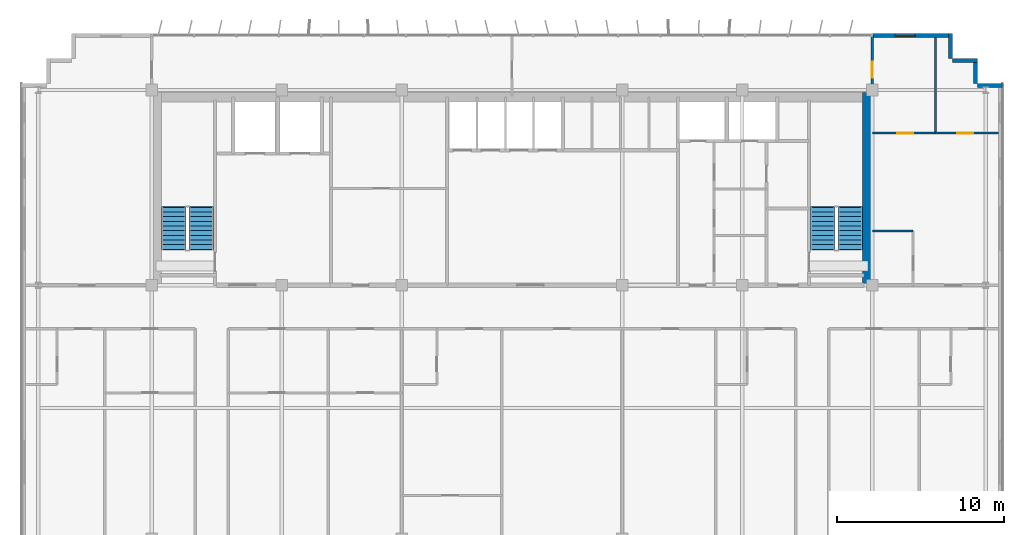
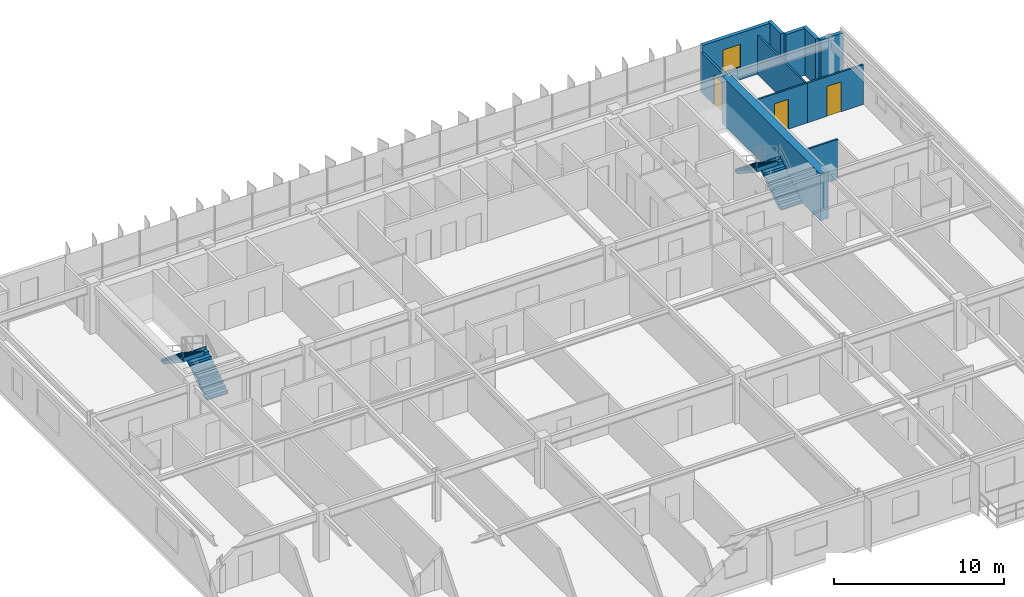
# One storey, part 19 of 21: 11 walls, 4 stair flights, 3 doors, 1 window, 4 openings, 2 elements without a shape of their own.
"""IFC4 building model written with IfcOpenShell, lengths in metres."""

from ifc_helpers import new_model, si_unit, direction, frame, frame_2d, origin, place, context, subcontext, project, spatial, polyline, rectangle, outline, extrude, source, transform, mapped, material, layer, layer_set, type_object, element, fill, aggregate, save


model = new_model("IFC4")

# Units and contexts
model_context = context("Model", 3, precision=1e-05, world=origin(), true_north=direction((0.0, 1.0)))
body_context = subcontext(model_context, "Body", "Model", "MODEL_VIEW")
ifc_project = project(units=[si_unit("LENGTHUNIT", "METRE"), si_unit("AREAUNIT", "SQUARE_METRE"), si_unit("VOLUMEUNIT", "CUBIC_METRE"), si_unit("PLANEANGLEUNIT", "RADIAN"), si_unit("MASSUNIT", "GRAM", prefix="KILO")], contexts=[model_context])

# Site, building, storey
site_placement = place(None, origin())
site = spatial("IfcSite", under=ifc_project, at=site_placement, CompositionType="ELEMENT")
building_placement = place(site_placement, origin())
building = spatial("IfcBuilding", under=site, at=building_placement, Name="Trelvane Seafront Commons", CompositionType="ELEMENT")
storey_placement = place(building_placement, frame((0.0, 0.0, 153.699951171875)))
storey = spatial("IfcBuildingStorey", under=building, at=storey_placement, Name="L40", CompositionType="ELEMENT", Elevation=153.699951171875)

# Wall, opening, window
ifc_material_1 = material(Name="Precast concrete C40/50", Category="concrete")
ifc_layer_1 = layer(ifc_material_1, 0.239990234375, Name="ARCH-WALL-EXT240")
ifc_layer_set_1 = layer_set([ifc_layer_1], Name="Precast concrete C40/50")
wall_type_1 = type_object("IfcWallType", Name="ARCH-WALL-EXT240", PredefinedType="SOLIDWALL", material=ifc_layer_set_1)
wall_1_placement = place(storey_placement, frame((58.800048828125, 48.3701171875, 0.0), z_axis=(0.0, 0.0, 1.0), x_axis=(1.0, 0.0, 0.0)))
wall_1 = element("IfcWall", 1, at=wall_1_placement, inside=storey, type_object=wall_type_1, Name="EW-L40-NE-0780", PredefinedType="SOLIDWALL", context=body_context, shape_type="SweptSolid", body=[
    extrude(rectangle(XDim=4.699951171875, YDim=0.239990234375, at=frame_2d((2.35009765625, 0.0))), origin(), (0.0, 0.0, 1.0), 3.35009765625),
])
opening_1_placement = place(wall_1_placement, frame((1.367919921875, 0.0, 0.89990234375)))
opening_1 = element("IfcOpeningElement", 2, at=opening_1_placement, cuts=wall_1, Name="Opening W05", PredefinedType="OPENING", context=body_context, shape_type="SweptSolid", body=[
    extrude(rectangle(XDim=1.199951171875, YDim=1.64990234375, at=frame_2d((0.60009765625, 0.824951171875))), frame((0.0, 0.1298828125, 0.0), z_axis=(0.0, -1.0, 0.0), x_axis=(1.0, 0.0, 0.0)), (0.0, 0.0, 1.0), 0.260009765625),
])
ifc_material_2 = material(Name="Low-E coastal double glazing", Category="glass")
window_type = type_object("IfcWindowType", Name="ARCH-WIN-W05", PartitioningType="SINGLE_PANEL", PredefinedType="WINDOW", material=ifc_material_2)
shared_shape_1 = source(origin(), body_context, "Body", "SweptSolid", [
    extrude(rectangle(XDim=1.199951171875, YDim=1.64990234375, at=frame_2d((0.60009765625, 0.824951171875))), frame((0.0, 0.030029296875, 0.0), z_axis=(0.0, -1.0, 0.0), x_axis=(1.0, 0.0, 0.0)), (0.0, 0.0, 1.0), 0.06005859375),
])
window_placement = place(opening_1_placement, origin())
window = element("IfcWindow", 3, at=window_placement, inside=storey, type_object=window_type, Name="WIN-L40-00926", OverallHeight=1.64990234375, OverallWidth=1.199951171875, PartitioningType="SINGLE_PANEL", PredefinedType="WINDOW", context=body_context, shape_type="MappedRepresentation", body=[
    mapped(shared_shape_1, transform((0.0, 0.0, 0.0), x_axis=(1.0, 0.0, 0.0), y_axis=(0.0, 1.0, 0.0), z_axis=(0.0, 0.0, 1.0), scale=1.0)),
])
fill(opening_1, window)

# Walls
for number, where, z_axis, x_axis, name in (
    (4, (63.47998046875, 48.5, 0.0), (0.0, 0.0, 1.0), (0.0, -1.0, 0.0), "EW-L40-00789"),
    (5, (63.60009765625, 46.8798828125, 0.0), (0.0, 0.0, 1.0), (1.0, 0.0, 0.0), "EW-L40-00790"),
    (6, (64.97998046875, 47.0, 0.0), (0.0, 0.0, 1.0), (0.0, -1.0, 0.0), "EW-L40-00791"),
    (7, (65.10009765625, 45.3798828125, 0.0), (0.0, 0.0, 1.0), (1.0, 0.0, 0.0), "EW-L40-00792"),
):
    element("IfcWall", number, at=place(storey_placement, frame(where, z_axis=z_axis, x_axis=x_axis)), inside=storey, type_object=wall_type_1, Name=name, PredefinedType="SOLIDWALL", context=body_context, shape_type="SweptSolid", body=[
        extrude(rectangle(XDim=1.5, YDim=0.239990234375, at=frame_2d((0.75, 0.0))), origin(), (0.0, 0.0, 1.0), 3.35009765625),
    ])
ifc_material_3 = material(Name="Gypsum Drywall Acoustic Partition")
ifc_layer_2 = layer(ifc_material_3, 0.1201171875, Name="ARCH-WALL-PART120")
ifc_layer_set_2 = layer_set([ifc_layer_2], Name="Gypsum Drywall Acoustic Partition")
wall_type_2 = type_object("IfcWallType", Name="ARCH-WALL-PART120", PredefinedType="PARTITIONING", material=ifc_layer_set_2)
wall_2_placement = place(storey_placement, frame((58.800048828125, 36.64990234375, 0.0), z_axis=(0.0, 0.0, 1.0), x_axis=(1.0, 0.0, 0.0)))
element("IfcWall", 8, at=wall_2_placement, inside=storey, type_object=wall_type_2, Name="W-L40-NE-BN-039", PredefinedType="PARTITIONING", context=body_context, shape_type="SweptSolid", body=[
    extrude(rectangle(XDim=2.449951171875, YDim=0.1201171875, at=frame_2d((1.22509765625, 0.0))), origin(), (0.0, 0.0, 1.0), 2.85009765625),
])

# Wall, opening, door
wall_3_placement = place(storey_placement, frame((58.800048828125, 42.52001953125, 0.0), z_axis=(0.0, 0.0, 1.0), x_axis=(1.0, 0.0, 0.0)))
wall_3 = element("IfcWall", 9, at=wall_3_placement, inside=storey, type_object=wall_type_2, Name="W-L40-NE-KB1-040", PredefinedType="PARTITIONING", context=body_context, shape_type="SweptSolid", body=[
    extrude(rectangle(XDim=3.77490234375, YDim=0.1201171875, at=frame_2d((1.887451171875, 0.0))), origin(), (0.0, 0.0, 1.0), 2.85009765625),
])
opening_2_placement = place(wall_3_placement, frame((1.506103515625, 0.0, 0.0)))
opening_2 = element("IfcOpeningElement", 10, at=opening_2_placement, cuts=wall_3, Name="Opening D-L40-23", PredefinedType="OPENING", context=body_context, shape_type="SweptSolid", body=[
    extrude(rectangle(XDim=0.949951171875, YDim=2.14990234375, at=frame_2d((0.47509765625, 1.074951171875))), frame((0.0, 0.070068359375, 0.0), z_axis=(0.0, -1.0, 0.0), x_axis=(1.0, 0.0, 0.0)), (0.0, 0.0, 1.0), 0.14013671875),
])
ifc_material_4 = material(Name="Acoustic timber door leaf", Category="wood")
door_type_1 = type_object("IfcDoorType", Name="ARCH-DR-INT950", OperationType="NOTDEFINED", PredefinedType="DOOR", material=ifc_material_4)
shared_shape_2 = source(origin(), body_context, "Body", "SweptSolid", [
    extrude(rectangle(XDim=0.949951171875, YDim=2.14990234375, at=frame_2d((0.47509765625, 1.074951171875))), frame((0.0, 0.02490234375, 0.0), z_axis=(0.0, -1.0, 0.0), x_axis=(1.0, 0.0, 0.0)), (0.0, 0.0, 1.0), 0.050048828125),
])
door_1_placement = place(opening_2_placement, origin())
door_1 = element("IfcDoor", 11, at=door_1_placement, inside=storey, type_object=door_type_1, Name="L40 Door 23", OperationType="SINGLE_SWING_LEFT", OverallHeight=2.14990234375, OverallWidth=0.949951171875, PredefinedType="DOOR", context=body_context, shape_type="MappedRepresentation", body=[
    mapped(shared_shape_2, transform((0.0, 0.0, 0.0), x_axis=(1.0, 0.0, 0.0), y_axis=(0.0, 1.0, 0.0), z_axis=(0.0, 0.0, 1.0), scale=1.0)),
])
fill(opening_2, door_1)

wall_4_placement = place(storey_placement, frame((62.574951171875, 42.52001953125, 0.0), z_axis=(0.0, 0.0, 1.0), x_axis=(1.0, 0.0, 0.0)))
wall_4 = element("IfcWall", 12, at=wall_4_placement, inside=storey, type_object=wall_type_2, Name="W-L40-NE-KB2-041", PredefinedType="PARTITIONING", context=body_context, shape_type="SweptSolid", body=[
    extrude(rectangle(XDim=3.775146484375, YDim=0.1201171875, at=frame_2d((1.8876953125, 0.0))), origin(), (0.0, 0.0, 1.0), 2.85009765625),
])
opening_3_placement = place(wall_4_placement, frame((1.319091796875, 0.0, 0.0)))
opening_3 = element("IfcOpeningElement", 13, at=opening_3_placement, cuts=wall_4, Name="Opening D-L40-24", PredefinedType="OPENING", context=body_context, shape_type="SweptSolid", body=[
    extrude(rectangle(XDim=0.949951171875, YDim=2.14990234375, at=frame_2d((0.47509765625, 1.074951171875))), frame((0.0, 0.070068359375, 0.0), z_axis=(0.0, -1.0, 0.0), x_axis=(1.0, 0.0, 0.0)), (0.0, 0.0, 1.0), 0.14013671875),
])
door_2_placement = place(opening_3_placement, origin())
door_2 = element("IfcDoor", 14, at=door_2_placement, inside=storey, type_object=door_type_1, Name="L40 Door 24", OperationType="SINGLE_SWING_RIGHT", OverallHeight=2.14990234375, OverallWidth=0.949951171875, PredefinedType="DOOR", context=body_context, shape_type="MappedRepresentation", body=[
    mapped(shared_shape_2, transform((0.0, 0.0, 0.0), x_axis=(1.0, 0.0, 0.0), y_axis=(0.0, 1.0, 0.0), z_axis=(0.0, 0.0, 1.0), scale=1.0)),
])
fill(opening_3, door_2)

# Wall
wall_5_placement = place(storey_placement, frame((62.574951171875, 42.52001953125, 0.0), z_axis=(0.0, 0.0, 1.0), x_axis=(0.0, 1.0, 0.0)))
element("IfcWall", 15, at=wall_5_placement, inside=storey, type_object=wall_type_2, Name="W-L40-NE-KBDV-042", PredefinedType="PARTITIONING", context=body_context, shape_type="SweptSolid", body=[
    extrude(rectangle(XDim=5.739990234375, YDim=0.1201171875, at=frame_2d((2.8701171875, 0.0))), origin(), (0.0, 0.0, 1.0), 2.75),
])

# Wall, opening, door
ifc_layer_3 = layer(ifc_material_3, 0.14990234375, Name="ARCH-WALL-PART150")
ifc_layer_set_3 = layer_set([ifc_layer_3], Name="Gypsum Drywall Acoustic Partition")
wall_type_3 = type_object("IfcWallType", Name="ARCH-WALL-PART150", PredefinedType="PARTITIONING", material=ifc_layer_set_3)
wall_6_placement = place(storey_placement, frame((58.800048828125, 44.75, 0.0), z_axis=(0.0, 0.0, 1.0), x_axis=(0.0, 1.0, 0.0)))
wall_6 = element("IfcWall", 16, at=wall_6_placement, inside=storey, type_object=wall_type_3, Name="W-L40-N-LINK-E-046", PredefinedType="PARTITIONING", context=body_context, shape_type="SweptSolid", body=[
    extrude(rectangle(XDim=3.610107421875, YDim=0.14990234375, at=frame_2d((1.80517578125, 0.0))), origin(), (0.0, 0.0, 1.0), 2.85009765625),
])
opening_4_placement = place(wall_6_placement, frame((1.10009765625, 0.0, 0.0)))
opening_4 = element("IfcOpeningElement", 17, at=opening_4_placement, cuts=wall_6, Name="Opening FD-L40-28", PredefinedType="OPENING", context=body_context, shape_type="SweptSolid", body=[
    extrude(rectangle(XDim=0.949951171875, YDim=2.14990234375, at=frame_2d((0.47509765625, 1.074951171875))), frame((0.0, 0.0849609375, 0.0), z_axis=(0.0, -1.0, 0.0), x_axis=(1.0, 0.0, 0.0)), (0.0, 0.0, 1.0), 0.169921875),
])
ifc_material_5 = material(Name="Powder-coated aluminium frame", Category="aluminium")
door_type_2 = type_object("IfcDoorType", Name="ARCH-DR-FD60-950", OperationType="NOTDEFINED", PredefinedType="DOOR", material=ifc_material_5)
door_3_placement = place(opening_4_placement, origin())
door_3 = element("IfcDoor", 18, at=door_3_placement, inside=storey, type_object=door_type_2, Name="L40 Door 28", OperationType="SINGLE_SWING_RIGHT", OverallHeight=2.14990234375, OverallWidth=0.949951171875, PredefinedType="DOOR", context=body_context, shape_type="MappedRepresentation", body=[
    mapped(shared_shape_2, transform((0.0, 0.0, 0.0), x_axis=(1.0, 0.0, 0.0), y_axis=(0.0, 1.0, 0.0), z_axis=(0.0, 0.0, 1.0), scale=1.0)),
])
fill(opening_4, door_3)

# Wall
ifc_material_6 = material(Name="Concrete C50/60", Category="concrete")
ifc_layer_4 = layer(ifc_material_6, 0.550048828125, Name="STR-WALL-CORE550")
ifc_layer_set_4 = layer_set([ifc_layer_4], Name="Concrete C50/60")
wall_type_4 = type_object("IfcWallType", Name="STR-WALL-CORE550", PredefinedType="SHEAR", material=ifc_layer_set_4)
wall_7_placement = place(storey_placement, frame((58.47509765625, 33.39990234375, 0.0), z_axis=(0.0, 0.0, 1.0), x_axis=(0.0, 1.0, 0.0)))
element("IfcWall", 19, at=wall_7_placement, inside=storey, type_object=wall_type_4, Name="W-L40-CE-END-003", PredefinedType="SHEAR", context=body_context, shape_type="SweptSolid", body=[
    extrude(rectangle(XDim=11.550048828125, YDim=0.550048828125, at=frame_2d((5.77490234375, 0.0))), origin(), (0.0, 0.0, 1.0), 3.35009765625),
])

# Stair, stair flights
ifc_material_7 = material(Name="Concrete C40/50", Category="concrete")
stair_type_1 = type_object("IfcStairType", Name="ARCH-STR-ST-1-R20-180", PredefinedType="HALF_TURN_STAIR", material=ifc_material_7)
stair_1_placement = place(storey_placement, origin())
stair_1 = element("IfcStair", 20, at=stair_1_placement, inside=storey, type_object=stair_type_1, Name="L40 West Protected Firefighting Exit Stair ST-1", PredefinedType="HALF_TURN_STAIR")
stair_flight_type_1 = type_object("IfcStairFlightType", Name="ARCH-FLG-ST-1-R20-180", PredefinedType="STRAIGHT", material=ifc_material_7)
shared_shape_3 = source(origin(), body_context, "Body", "SweptSolid", [
    extrude(outline(polyline([(-0.050048828125, -0.02001953125), (-0.050048828125, 0.0), (0.0, 0.0), (0.0, 0.179931640625), (0.280029296875, 0.179931640625), (0.280029296875, 0.360107421875), (0.56005859375, 0.360107421875), (0.56005859375, 0.5400390625), (0.840087890625, 0.5400390625), (0.840087890625, 0.719970703125), (1.1201171875, 0.719970703125), (1.1201171875, 0.89990234375), (1.39990234375, 0.89990234375), (1.39990234375, 1.080078125), (1.679931640625, 1.080078125), (1.679931640625, 1.260009765625), (1.9599609375, 1.260009765625), (1.9599609375, 1.43994140625), (2.239990234375, 1.43994140625), (2.239990234375, 1.6201171875), (2.52001953125, 1.6201171875), (2.52001953125, 1.800048828125), (2.570068359375, 1.800048828125), (2.570068359375, 1.650146484375), (2.52001953125, 1.44189453125), (0.277099609375, -0.02001953125), (-0.050048828125, -0.02001953125)])), frame((0.0, 0.72509765625, 0.0), z_axis=(0.0, -1.0, 0.0), x_axis=(1.0, 0.0, 0.0)), (0.0, 0.0, 1.0), 1.449951171875),
])
stair_flight_1_placement = place(storey_placement, frame((18.574951171875, 35.550048828125, 0.0), z_axis=(0.0, 0.0, 1.0), x_axis=(0.0, 1.0, 0.0)))
stair_flight_1 = element("IfcStairFlight", 21, at=stair_flight_1_placement, type_object=stair_flight_type_1, Name="ST-1 flight 1", NumberOfRisers=10, NumberOfTreads=9, PredefinedType="STRAIGHT", RiserHeight=0.18, TreadLength=0.28, context=body_context, shape_type="MappedRepresentation", body=[
    mapped(shared_shape_3, transform((0.0, 0.0, 0.0), x_axis=(1.0, 0.0, 0.0), y_axis=(0.0, 1.0, 0.0), z_axis=(0.0, 0.0, 1.0), scale=1.0)),
])
stair_flight_2_placement = place(storey_placement, frame((16.925048828125, 38.070068359375, 1.800048828125), z_axis=(0.0, 0.0, 1.0), x_axis=(0.0, -1.0, 0.0)))
stair_flight_2 = element("IfcStairFlight", 22, at=stair_flight_2_placement, type_object=stair_flight_type_1, Name="ST-1 flight 2", NumberOfRisers=10, NumberOfTreads=9, PredefinedType="STRAIGHT", RiserHeight=0.18, TreadLength=0.28, context=body_context, shape_type="MappedRepresentation", body=[
    mapped(shared_shape_3, transform((0.0, 0.0, 0.0), x_axis=(1.0, 0.0, 0.0), y_axis=(0.0, 1.0, 0.0), z_axis=(0.0, 0.0, 1.0), scale=1.0)),
])
aggregate(stair_1, [stair_flight_1, stair_flight_2])

stair_type_2 = type_object("IfcStairType", Name="ARCH-STR-ST-2-R20-180", PredefinedType="HALF_TURN_STAIR", material=ifc_material_7)
stair_2_placement = place(storey_placement, origin())
stair_2 = element("IfcStair", 23, at=stair_2_placement, inside=storey, type_object=stair_type_2, Name="L40 East Protected Firefighting Exit Stair ST-2", PredefinedType="HALF_TURN_STAIR")
stair_flight_type_2 = type_object("IfcStairFlightType", Name="ARCH-FLG-ST-2-R20-180", PredefinedType="STRAIGHT", material=ifc_material_7)
stair_flight_3_placement = place(storey_placement, frame((57.47509765625, 35.550048828125, 0.0), z_axis=(0.0, 0.0, 1.0), x_axis=(0.0, 1.0, 0.0)))
stair_flight_3 = element("IfcStairFlight", 24, at=stair_flight_3_placement, type_object=stair_flight_type_2, Name="ST-2 flight 1", NumberOfRisers=10, NumberOfTreads=9, PredefinedType="STRAIGHT", RiserHeight=0.18, TreadLength=0.28, context=body_context, shape_type="MappedRepresentation", body=[
    mapped(shared_shape_3, transform((0.0, 0.0, 0.0), x_axis=(1.0, 0.0, 0.0), y_axis=(0.0, 1.0, 0.0), z_axis=(0.0, 0.0, 1.0), scale=1.0)),
])
stair_flight_4_placement = place(storey_placement, frame((55.824951171875, 38.070068359375, 1.800048828125), z_axis=(0.0, 0.0, 1.0), x_axis=(0.0, -1.0, 0.0)))
stair_flight_4 = element("IfcStairFlight", 25, at=stair_flight_4_placement, type_object=stair_flight_type_2, Name="ST-2 flight 2", NumberOfRisers=10, NumberOfTreads=9, PredefinedType="STRAIGHT", RiserHeight=0.18, TreadLength=0.28, context=body_context, shape_type="MappedRepresentation", body=[
    mapped(shared_shape_3, transform((0.0, 0.0, 0.0), x_axis=(1.0, 0.0, 0.0), y_axis=(0.0, 1.0, 0.0), z_axis=(0.0, 0.0, 1.0), scale=1.0)),
])
aggregate(stair_2, [stair_flight_3, stair_flight_4])

save(model, "model.ifc")
